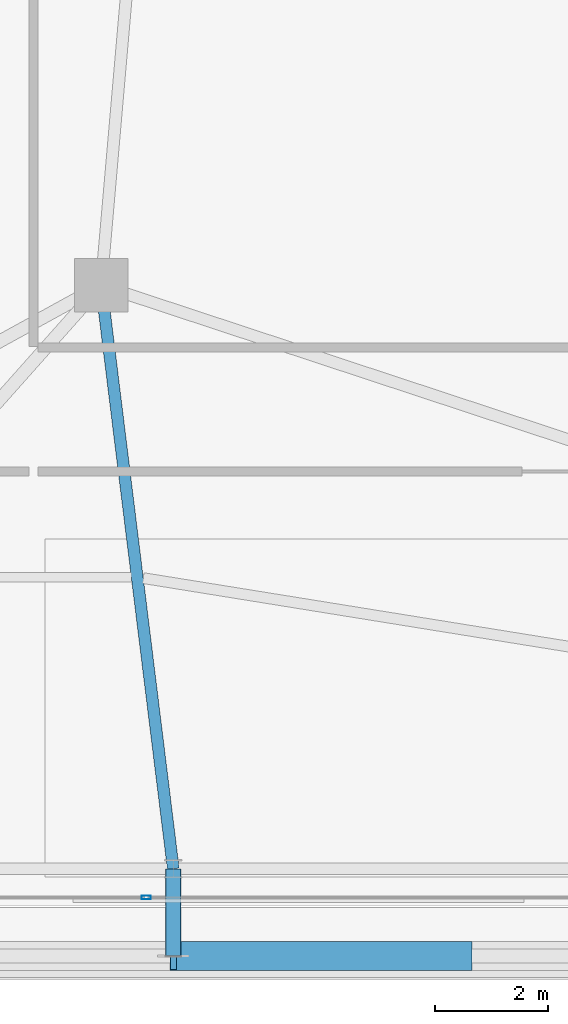
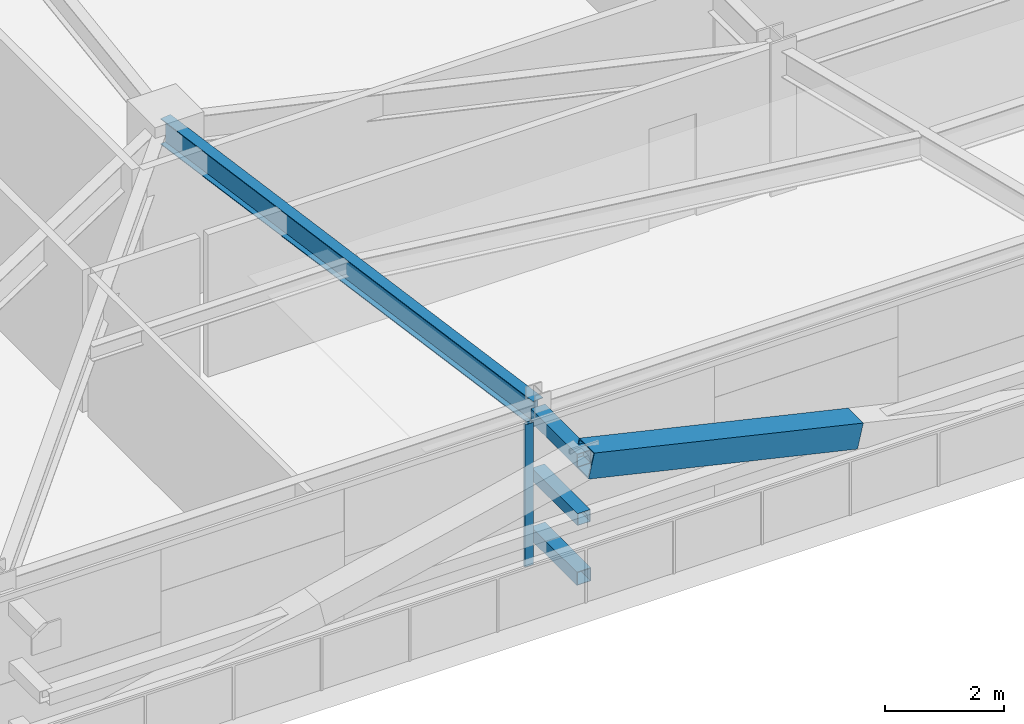
# One storey, part 11 of 56: 5 members, 1 beam, 1 element without a shape of its own.
"""IFC4 building model written with IfcOpenShell, lengths in metres."""

from ifc_helpers import new_model, si_unit, direction, frame, origin, origin_2d, place, context, subcontext, project, spatial, hollow_rectangle, i_section, extrude, source, transform, mapped, material, layer, layer_set, material_profile, profile_set, type_object, element, aggregate, save


model = new_model("IFC4")

# Units and contexts
model_context = context("Model", 3, precision=1e-05, world=origin(), true_north=direction((0.0, 1.0)))
body_context = subcontext(model_context, "Body", "Model", "MODEL_VIEW")
ifc_project = project(units=[si_unit("LENGTHUNIT", "METRE"), si_unit("AREAUNIT", "SQUARE_METRE"), si_unit("VOLUMEUNIT", "CUBIC_METRE"), si_unit("PLANEANGLEUNIT", "RADIAN"), si_unit("MASSUNIT", "GRAM", prefix="KILO")], contexts=[model_context])

# Site, building, storey
site_placement = place(None, origin())
site = spatial("IfcSite", under=ifc_project, at=site_placement, CompositionType="ELEMENT")
building_placement = place(site_placement, origin())
building = spatial("IfcBuilding", under=site, at=building_placement, Name="Taldren Reach Tower", CompositionType="ELEMENT")
storey_placement = place(building_placement, frame((0.0, 0.0, 16.800048828125)))
storey = spatial("IfcBuildingStorey", under=building, at=storey_placement, Name="L04", CompositionType="ELEMENT", Elevation=16.800048828125)

# Beam
ifc_material_1 = material(Name="Steel Gr 350 (350PLUS)", Category="steel")
ifc_material_profile_1 = material_profile(ifc_material_1, i_section(OverallWidth=0.208984375, OverallDepth=0.532958984375, WebThickness=0.01025390625, FlangeThickness=0.015625, at=origin_2d()), Name="530UB92.4")
ifc_profile_set_1 = profile_set([ifc_material_profile_1], Name="Steel Gr 350 (350PLUS)")
beam_type = type_object("IfcBeamType", Name="BM-UB530A", PredefinedType="BEAM", material=ifc_profile_set_1)
shared_shape_1 = source(origin(), body_context, "Body", "SweptSolid", [
    extrude(i_section(OverallWidth=0.208984375, OverallDepth=0.532958984375, WebThickness=0.01025390625, FlangeThickness=0.015625, at=origin_2d()), origin(), (0.0, 0.0, 1.0), 10.428955078125),
])
beam_placement = place(storey_placement, frame((18.0, 12.5, 2.663330078125), z_axis=(0.122738080664, -0.992439098159, 0.0), x_axis=(0.992439098159, 0.122738080664, 0.0)))
element("IfcBeam", 1, at=beam_placement, inside=storey, type_object=beam_type, Name="Primary floor girder B1-S2 L04", PredefinedType="BEAM", context=body_context, shape_type="MappedRepresentation", body=[
    mapped(shared_shape_1, transform((0.0, 0.0, 0.0), scale=1.0)),
])

# Members
ifc_material_2 = material(Name="Steel Gr 450 (C450L0)", Category="steel")
ifc_material_profile_2 = material_profile(ifc_material_2, hollow_rectangle(XDim=0.27490234375, YDim=0.27490234375, WallThickness=0.00927734375, at=origin_2d()), Name="275x275x9.3SHS")
ifc_profile_set_2 = profile_set([ifc_material_profile_2], Name="Steel Gr 450 (C450L0)")
member_type_1 = type_object("IfcMemberType", Name="MB-TIE273", PredefinedType="STRUT", material=ifc_profile_set_2)
shared_shape_2 = source(origin(), body_context, "Body", "SweptSolid", [
    extrude(hollow_rectangle(XDim=0.27490234375, YDim=0.27490234375, WallThickness=0.00927734375, at=origin_2d()), origin(), (0.0, 0.0, 1.0), 1.5498046875),
])
for number, where, z_axis, x_axis, name in (
    (2, (19.280029296875, 2.14990234375, 2.64990234375), (0.0, -1.0, 0.0), (1.0, 0.0, 0.0), "Exoskeleton diaphragm tie strut B1-S2 L04"),
    (3, (19.280029296875, 2.14990234375, 0.219970703125), (0.0, -1.0, 0.0), (1.0, 0.0, 0.0), "Exoskeleton base diaphragm tie strut B1-S2 L04"),
):
    element("IfcMember", number, at=place(storey_placement, frame(where, z_axis=z_axis, x_axis=x_axis)), inside=storey, type_object=member_type_1, Name=name, PredefinedType="STRUT", context=body_context, shape_type="MappedRepresentation", body=[
        mapped(shared_shape_2, transform((0.0, 0.0, 0.0), scale=1.0)),
    ])
ifc_material_profile_3 = material_profile(ifc_material_2, hollow_rectangle(XDim=0.510009765625, YDim=0.510009765625, WallThickness=0.02001953125, at=origin_2d()), Name="510x510x20.0SHS")
ifc_profile_set_3 = profile_set([ifc_material_profile_3], Name="Steel Gr 450 (C450L0)")
member_type_2 = type_object("IfcMemberType", Name="MB-EXO508", PredefinedType="BRACE", material=ifc_profile_set_3)
shared_shape_3 = source(origin(), body_context, "Body", "SweptSolid", [
    extrude(hollow_rectangle(XDim=0.510009765625, YDim=0.510009765625, WallThickness=0.02001953125, at=origin_2d()), origin(), (0.0, 0.0, 1.0), 5.37890625),
])
member_1_placement = place(storey_placement, frame((24.52001953125, 0.60009765625, 1.43505859375), z_axis=(-0.974161966843, 0.0, 0.225850531007), x_axis=(0.0, -1.0, 0.0)))
element("IfcMember", 4, at=member_1_placement, inside=storey, type_object=member_type_2, Name="Exoskeleton Diagrid Brace B1-S2 L04", PredefinedType="BRACE", context=body_context, shape_type="MappedRepresentation", body=[
    mapped(shared_shape_3, transform((0.0, 0.0, 0.0), scale=1.0)),
])
ifc_material_3 = material(Name="Steel Gr 350 (C350L0)", Category="steel")
ifc_material_profile_4 = material_profile(ifc_material_3, hollow_rectangle(XDim=0.25, YDim=0.25, WallThickness=0.010009765625, at=origin_2d()), Name="250x250x10.0SHS")
ifc_profile_set_4 = profile_set([ifc_material_profile_4], Name="Steel Gr 350 (C350L0)")
member_type_3 = type_object("IfcMemberType", Name="MB-POST250", PredefinedType="POST", material=ifc_profile_set_4)
shared_shape_4 = source(origin(), body_context, "Body", "SweptSolid", [
    extrude(hollow_rectangle(XDim=0.25, YDim=0.25, WallThickness=0.010009765625, at=origin_2d()), origin(), (0.0, 0.0, 1.0), 1.5498046875),
])
member_2_placement = place(storey_placement, frame((19.280029296875, 2.14990234375, 1.43505859375), z_axis=(0.0, -1.0, 0.0), x_axis=(1.0, 0.0, 0.0)))
element("IfcMember", 5, at=member_2_placement, inside=storey, type_object=member_type_3, Name="Exoskeleton mid-tier diaphragm tie B1-S2 L04", PredefinedType="POST", context=body_context, shape_type="MappedRepresentation", body=[
    mapped(shared_shape_4, transform((0.0, 0.0, 0.0), scale=1.0)),
])

# Curtain wall, member
ifc_material_4 = material(Name="Aluminium and Low-E Glass Unitised System", Category="aluminium")
ifc_layer = layer(ifc_material_4, 0.159912109375)
ifc_layer_set = layer_set([ifc_layer], Name="Aluminium and Low-E Glass Unitised System")
curtain_wall_type = type_object("IfcCurtainWallType", Name="CW-SYS-2", PredefinedType="NOTDEFINED", material=ifc_layer_set)
curtain_wall_placement = place(storey_placement, origin())
curtain_wall = element("IfcCurtainWall", 6, at=curtain_wall_placement, inside=storey, type_object=curtain_wall_type, Name="Unitised curtain wall CW-L04-S", PredefinedType="NOTDEFINED")
ifc_material_5 = material(Name="Anodised Aluminium 6063-T6", Category="aluminium")
ifc_material_profile_5 = material_profile(ifc_material_5, hollow_rectangle(XDim=0.06494140625, YDim=0.1650390625, WallThickness=0.00390625, at=origin_2d()), Name="ALU-165x65x4RHS")
ifc_profile_set_5 = profile_set([ifc_material_profile_5], Name="Anodised Aluminium 6063-T6")
member_type_4 = type_object("IfcMemberType", Name="CW-MUL-165", PredefinedType="MULLION", material=ifc_profile_set_5)
shared_shape_5 = source(origin(), body_context, "Body", "SweptSolid", [
    extrude(hollow_rectangle(XDim=0.06494140625, YDim=0.1650390625, WallThickness=0.00390625, at=origin_2d()), origin(), (0.0, 0.0, 1.0), 2.929931640625),
])
member_3_placement = place(storey_placement, frame((18.800048828125, 1.639892578125, 0.0), z_axis=(0.0, 0.0, 1.0), x_axis=(0.0, 1.0, 0.0)))
member_3 = element("IfcMember", 7, at=member_3_placement, type_object=member_type_4, Name="CW-2 mullion 2", PredefinedType="MULLION", context=body_context, shape_type="MappedRepresentation", body=[
    mapped(shared_shape_5, transform((0.0, 0.0, 0.0), scale=1.0)),
])
aggregate(curtain_wall, [member_3])

save(model, "model.ifc")
